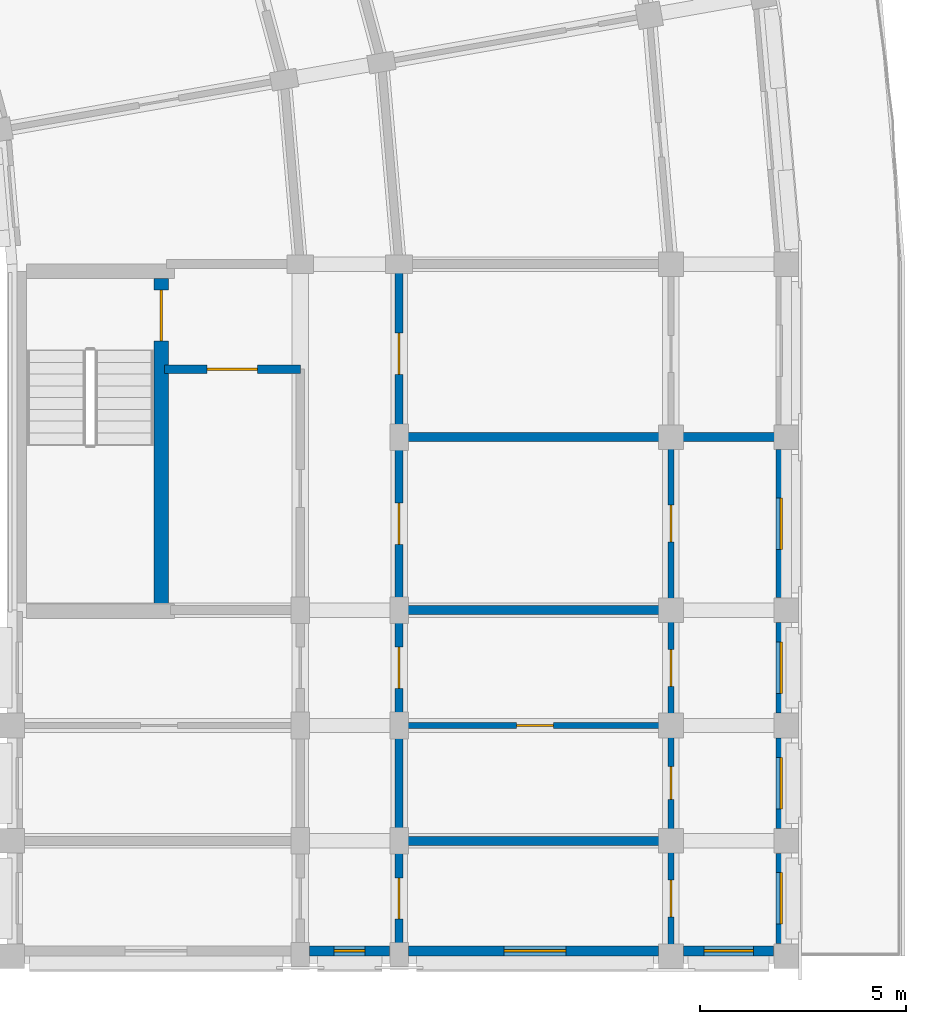
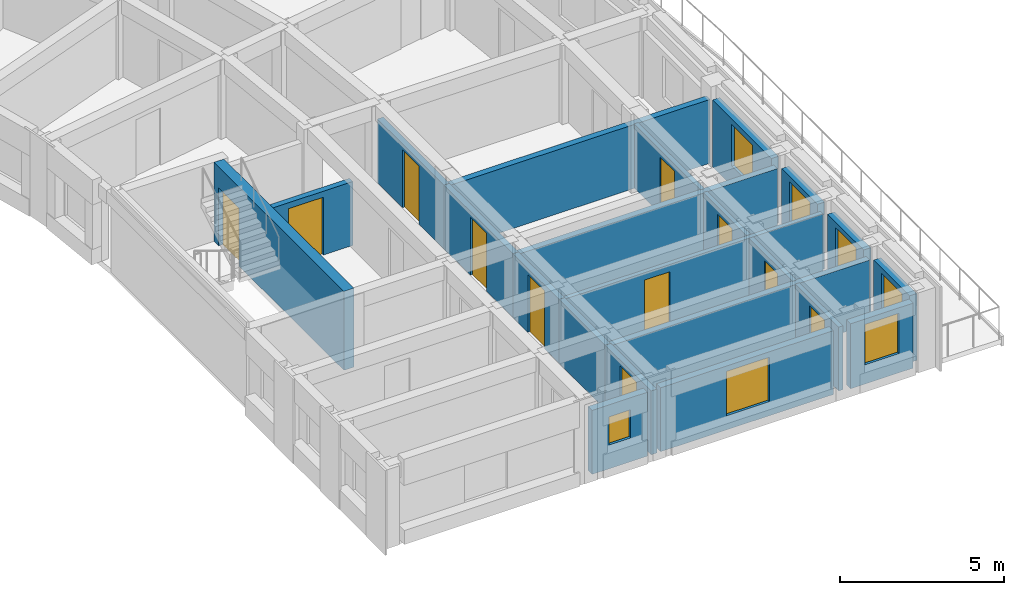
# One storey, part 21 of 36: 22 walls, 11 doors, 7 windows, 18 openings.
"""IFC4 building model written with IfcOpenShell, lengths in metres."""

import ifcopenshell
import ifcopenshell.guid

model = None  # the IFC model being written
_history = None  # IfcOwnerHistory: only IFC2X3 demands one
_inside = {}  # id of a spatial element -> (the spatial element, [elements in it])
_under = {}  # id of a project, library or spatial element -> (it, [spatial elements below it])
_declared = {}  # id of a project -> (the project, [libraries it declares])
_typed = {}  # id of a type object -> (the type object, [elements of that type])
_made_of = {}  # id of a material, layer set ... -> (it, [elements and type objects made of it])


def new_model(schema):
    """Start an empty IFC model of exactly this schema.

    Asked for "IFC4X3", IfcOpenShell would pick the latest addendum, in which some entities
    have other attributes; the version numbers below select the first issue.
    IFC2X3 requires an IfcOwnerHistory on every rooted entity: one is made here for all.
    """
    global model, _history
    if schema == "IFC4X3":
        model = ifcopenshell.file(schema_version=(4, 3, 0, 0))
    else:
        model = ifcopenshell.file(schema=schema)
    _inside.clear()
    _under.clear()
    _declared.clear()
    _typed.clear()
    _made_of.clear()
    _history = None
    if model.schema == "IFC2X3":
        org = make("IfcOrganization", Name="unknown")
        user = make(
            "IfcPersonAndOrganization",
            ThePerson=make("IfcPerson", FamilyName="unknown"),
            TheOrganization=org,
        )
        app = make(
            "IfcApplication",
            ApplicationDeveloper=org,
            Version="unknown",
            ApplicationFullName="unknown",
            ApplicationIdentifier="unknown",
        )
        _history = make(
            "IfcOwnerHistory",
            OwningUser=user,
            OwningApplication=app,
            ChangeAction="ADDED",
            CreationDate=0,
        )
    return model


def make(cls, **values):
    """One entity of the class cls with the attributes given. An attribute that is None is left unset."""
    return model.create_entity(
        cls, **{name: value for name, value in values.items() if value is not None}
    )


def rooted(cls, **values):
    """An entity with a GlobalId (a new one), such as an element, a storey or a relation."""
    return make(cls, GlobalId=ifcopenshell.guid.new(), OwnerHistory=_history, **values)


def si_unit(unit_type, name, prefix=None):
    """IfcSIUnit, for example si_unit("LENGTHUNIT", "METRE", prefix="MILLI")."""
    return make("IfcSIUnit", UnitType=unit_type, Prefix=prefix, Name=name)


def assignment(units):
    """IfcUnitAssignment: the units of a project."""
    return None if units is None else make("IfcUnitAssignment", Units=units)


def point(xyz):
    """IfcCartesianPoint."""
    return None if xyz is None else make("IfcCartesianPoint", Coordinates=xyz)


def direction(xyz):
    """IfcDirection."""
    return None if xyz is None else make("IfcDirection", DirectionRatios=xyz)


def frame(location, z_axis=None, x_axis=None):
    """IfcAxis2Placement3D, a coordinate frame: its origin and axes. An axis left out is left unset."""
    return make(
        "IfcAxis2Placement3D",
        Location=point(location),
        Axis=direction(z_axis),
        RefDirection=direction(x_axis),
    )


def frame_2d(location, x_axis=None):
    """IfcAxis2Placement2D, a coordinate frame in the plane: its origin and x axis."""
    return make(
        "IfcAxis2Placement2D", Location=point(location), RefDirection=direction(x_axis)
    )


def origin():
    """The frame at (0, 0, 0) with its axes left unset."""
    return frame((0.0, 0.0, 0.0))


def place(relative_to, where):
    """IfcLocalPlacement: puts the frame where relative to a parent placement (None: the world)."""
    return make(
        "IfcLocalPlacement", PlacementRelTo=relative_to, RelativePlacement=where
    )


def context(
    kind, dimensions, precision=None, world=None, true_north=None, identifier=None
):
    """IfcGeometricRepresentationContext, for example the 3D "Model" context."""
    return make(
        "IfcGeometricRepresentationContext",
        ContextIdentifier=identifier,
        ContextType=kind,
        CoordinateSpaceDimension=dimensions,
        Precision=precision,
        WorldCoordinateSystem=world,
        TrueNorth=true_north,
    )


def subcontext(parent, identifier, kind, view, scale=None):
    """IfcGeometricRepresentationSubContext, for example "Body" below "Model"."""
    return make(
        "IfcGeometricRepresentationSubContext",
        ContextIdentifier=identifier,
        ContextType=kind,
        ParentContext=parent,
        TargetScale=scale,
        TargetView=view,
    )


def project(units=None, contexts=None):
    """IfcProject with its units and contexts."""
    return rooted(
        "IfcProject",
        Name="project",
        RepresentationContexts=contexts,
        UnitsInContext=assignment(units),
    )


def spatial(cls, under=None, at=None, **own):
    """A site, building, storey or space (cls), placed at a placement, below another one or the project."""
    s = rooted(cls, ObjectPlacement=at, **own)
    if under is not None:
        _under.setdefault(under.id(), (under, []))[1].append(s)
    return s


def profile(cls, at=None, kind="AREA", **sizes):
    """A parametric profile (cls). Its sizes go by their IFC names, for example OverallWidth=200.0."""
    return make(cls, ProfileType=kind, Position=at, **sizes)


def rectangle(**sizes):
    """IfcRectangleProfileDef."""
    return profile("IfcRectangleProfileDef", **sizes)


def extrude(swept, where, along, depth):
    """IfcExtrudedAreaSolid: the profile swept, set in the frame where, extruded along a direction by depth."""
    return make(
        "IfcExtrudedAreaSolid",
        SweptArea=swept,
        Position=where,
        ExtrudedDirection=direction(along),
        Depth=depth,
    )


def shape(context_of_items, identifier, shape_type, items):
    """IfcShapeRepresentation: the items that make up one representation, for example the "Body"."""
    return make(
        "IfcShapeRepresentation",
        ContextOfItems=context_of_items,
        RepresentationIdentifier=identifier,
        RepresentationType=shape_type,
        Items=items,
    )


def material(Name=None, Category=None):
    """IfcMaterial."""
    return make("IfcMaterial", Name=Name, Category=Category)


def layer(
    of_material, thickness, ventilated=None, Name=None, Category=None, Priority=None
):
    """IfcMaterialLayer: one layer of a wall or slab, of a material (None: an air gap)."""
    return make(
        "IfcMaterialLayer",
        Material=of_material,
        LayerThickness=thickness,
        IsVentilated=ventilated,
        Name=Name,
        Category=Category,
        Priority=Priority,
    )


def layer_set(layers, Name=None):
    """IfcMaterialLayerSet."""
    return make("IfcMaterialLayerSet", MaterialLayers=layers, LayerSetName=Name)


def made_of(thing, what):
    """Note that an element or type object is made of a material, layer set ...; save() writes the relation."""
    if what is not None:
        _made_of.setdefault(what.id(), (what, []))[1].append(thing)
    return thing


def type_object(cls, material=None, **own):
    """A type object (cls), such as IfcWallType, which elements share."""
    return made_of(rooted(cls, **own), material)


def element(
    cls,
    number,
    at=None,
    inside=None,
    cuts=None,
    type_object=None,
    material=None,
    context=None,
    identifier="Body",
    shape_type=None,
    held_by="IfcProductDefinitionShape",
    body=None,
    shapes=None,
    **own,
):
    """One element of the class cls, such as IfcWall. Its Tag is "e" and its number.

    at: its placement. inside: the storey or other place that contains it. cuts: it is an
    opening in that element (IfcRelVoidsElement). A single representation is given by context,
    identifier, shape_type and body (its items); several are given by shapes. held_by: the class
    of the entity that holds the representations. save() writes the other relations.
    """
    e = rooted(cls, Tag="e%d" % number, ObjectPlacement=at, **own)
    if body is not None:
        shapes = [shape(context, identifier, shape_type, body)]
    if shapes is not None:
        e.Representation = make(held_by, Representations=shapes)
    if inside is not None:
        _inside.setdefault(inside.id(), (inside, []))[1].append(e)
    if cuts is not None:
        rooted(
            "IfcRelVoidsElement", RelatingBuildingElement=cuts, RelatedOpeningElement=e
        )
    if type_object is not None:
        _typed.setdefault(type_object.id(), (type_object, []))[1].append(e)
    return made_of(e, material)


def fill(opening, filler):
    """IfcRelFillsElement: the door or window that sits in an opening."""
    return rooted(
        "IfcRelFillsElement",
        RelatingOpeningElement=opening,
        RelatedBuildingElement=filler,
    )


def aggregate(whole, parts):
    """IfcRelAggregates: a whole, such as a stair, and the parts it consists of."""
    return rooted("IfcRelAggregates", RelatingObject=whole, RelatedObjects=parts)


def save(model, path):
    """Write the relations noted so far, then the file.

    IfcRelAggregates (storeys below a building ...), IfcRelContainedInSpatialStructure (elements
    in a storey), IfcRelDefinesByType, IfcRelAssociatesMaterial and IfcRelDeclares: one each for
    every whole, place, type object, material and project.
    """
    for whole, parts in _under.values():
        aggregate(whole, parts)
    for where, things in _inside.values():
        rooted(
            "IfcRelContainedInSpatialStructure",
            RelatedElements=things,
            RelatingStructure=where,
        )
    for kind, things in _typed.values():
        rooted("IfcRelDefinesByType", RelatedObjects=things, RelatingType=kind)
    for what, things in _made_of.values():
        rooted("IfcRelAssociatesMaterial", RelatedObjects=things, RelatingMaterial=what)
    for by, libraries in _declared.values():
        rooted("IfcRelDeclares", RelatingContext=by, RelatedDefinitions=libraries)
    model.write(path)


model = new_model("IFC4")

# Units and contexts
model_context = context("Model", 3, precision=1e-05, world=origin(), true_north=direction((0.0, 1.0)))
body_context = subcontext(model_context, "Body", "Model", "MODEL_VIEW")
ifc_project = project(units=[si_unit("LENGTHUNIT", "METRE"), si_unit("AREAUNIT", "SQUARE_METRE"), si_unit("VOLUMEUNIT", "CUBIC_METRE"), si_unit("PLANEANGLEUNIT", "RADIAN"), si_unit("MASSUNIT", "GRAM", prefix="KILO")], contexts=[model_context])

# Site, building, storey
site_placement = place(None, origin())
site = spatial("IfcSite", under=ifc_project, at=site_placement, CompositionType="ELEMENT")
building_placement = place(site_placement, origin())
building = spatial("IfcBuilding", under=site, at=building_placement, Name="Kiranvali Square Residences", CompositionType="ELEMENT")
storey_placement = place(building_placement, frame((0.0, 0.0, 37.050048828125)))
storey = spatial("IfcBuildingStorey", under=building, at=storey_placement, Name="L11", CompositionType="ELEMENT", Elevation=37.050048828125)

# Wall, opening, door
ifc_material_1 = material(Name="Autoclaved aerated concrete blockwork masonry", Category="masonry")
ifc_layer_1 = layer(ifc_material_1, 0.199951171875)
ifc_layer_set_1 = layer_set([ifc_layer_1], Name="Autoclaved aerated concrete blockwork masonry")
wall_type_1 = type_object("IfcWallType", Name="WL-COR-200", PredefinedType="STANDARD", material=ifc_layer_set_1)
wall_1_placement = place(storey_placement, frame((142.300048828125, 85.25, 0.0), z_axis=(0.0, 0.0, 1.0), x_axis=(1.0, 0.0, 0.0)))
wall_1 = element("IfcWall", 1, at=wall_1_placement, inside=storey, type_object=wall_type_1, Name="L11 architectural wall WL-L11-B-S3-V", PredefinedType="STANDARD", context=body_context, shape_type="SweptSolid", body=[
    extrude(rectangle(XDim=3.300048828125, YDim=0.199951171875, at=frame_2d((1.64990234375, 0.0))), origin(), (0.0, 0.0, 1.0), 2.3720703125),
])
opening_1_placement = place(wall_1_placement, frame((1.0400390625, 0.0, 0.0)))
opening_1 = element("IfcOpeningElement", 2, at=opening_1_placement, cuts=wall_1, Name="Opening FD-COR-60", PredefinedType="OPENING", context=body_context, shape_type="SweptSolid", body=[
    extrude(rectangle(XDim=1.219970703125, YDim=2.14990234375, at=frame_2d((0.60986328125, 1.074951171875))), frame((0.0, 0.10986328125, 0.0), z_axis=(0.0, -1.0, 0.0), x_axis=(1.0, 0.0, 0.0)), (0.0, 0.0, 1.0), 0.219970703125),
])
ifc_material_2 = material(Name="Fire-rated acoustic hardwood and mineral-core door assembly", Category="wood")
door_type_1 = type_object("IfcDoorType", Name="DR-FD60-1200", OperationType="NOTDEFINED", PredefinedType="DOOR", material=ifc_material_2)
door_1_placement = place(opening_1_placement, frame((1.219970703125, 0.0, 0.0), z_axis=(0.0, 0.0, 1.0), x_axis=(-1.0, 0.0, 0.0)))
door_1 = element("IfcDoor", 3, at=door_1_placement, inside=storey, type_object=door_type_1, Name="L11 door DR-L11-1642 (DR-FD60-1200)", OperationType="SINGLE_SWING_RIGHT", OverallHeight=2.14990234375, OverallWidth=1.219970703125, PredefinedType="DOOR", context=body_context, shape_type="SweptSolid", body=[
    extrude(rectangle(XDim=1.219970703125, YDim=2.14990234375, at=frame_2d((0.60986328125, 1.074951171875))), frame((0.0, 0.02490234375, 0.0), z_axis=(0.0, -1.0, 0.0), x_axis=(1.0, 0.0, 0.0)), (0.0, 0.0, 1.0), 0.050048828125),
])
fill(opening_1, door_1)

wall_2_placement = place(storey_placement, frame((148.0, 87.64990234375, 0.0), z_axis=(0.0, 0.0, 1.0), x_axis=(0.0, -1.0, 0.0)))
wall_2 = element("IfcWall", 4, at=wall_2_placement, inside=storey, type_object=wall_type_1, Name="L11 architectural wall WL-L11-B-A2CF-C0", PredefinedType="STANDARD", context=body_context, shape_type="SweptSolid", body=[
    extrude(rectangle(XDim=4.0498046875, YDim=0.199951171875, at=frame_2d((2.02490234375, 0.0))), origin(), (0.0, 0.0, 1.0), 2.3720703125),
])
opening_2_placement = place(wall_2_placement, frame((1.52490234375, 0.0, 0.0)))
opening_2 = element("IfcOpeningElement", 5, at=opening_2_placement, cuts=wall_2, Name="Opening FD-APT-60", PredefinedType="OPENING", context=body_context, shape_type="SweptSolid", body=[
    extrude(rectangle(XDim=1.0, YDim=2.14990234375, at=frame_2d((0.5, 1.074951171875))), frame((0.0, 0.10986328125, 0.0), z_axis=(0.0, -1.0, 0.0), x_axis=(1.0, 0.0, 0.0)), (0.0, 0.0, 1.0), 0.219970703125),
])
door_type_2 = type_object("IfcDoorType", Name="DR-APT-1000", OperationType="NOTDEFINED", PredefinedType="DOOR", material=ifc_material_2)
door_2_placement = place(opening_2_placement, frame((1.0, 0.0, 0.0), z_axis=(0.0, 0.0, 1.0), x_axis=(-1.0, 0.0, 0.0)))
door_2 = element("IfcDoor", 6, at=door_2_placement, inside=storey, type_object=door_type_2, Name="L11 door DR-L11-1684 (DR-APT-1000)", OperationType="SINGLE_SWING_RIGHT", OverallHeight=2.14990234375, OverallWidth=1.0, PredefinedType="DOOR", context=body_context, shape_type="SweptSolid", body=[
    extrude(rectangle(XDim=1.0, YDim=2.14990234375, at=frame_2d((0.5, 1.074951171875))), frame((0.0, 0.02490234375, 0.0), z_axis=(0.0, -1.0, 0.0), x_axis=(1.0, 0.0, 0.0)), (0.0, 0.0, 1.0), 0.050048828125),
])
fill(opening_2, door_2)

wall_3_placement = place(storey_placement, frame((148.0, 83.60009765625, 0.0), z_axis=(0.0, 0.0, 1.0), x_axis=(0.0, -1.0, 0.0)))
wall_3 = element("IfcWall", 7, at=wall_3_placement, inside=storey, type_object=wall_type_1, Name="L11 architectural wall WL-L11-B-A2CF-C1", PredefinedType="STANDARD", context=body_context, shape_type="SweptSolid", body=[
    extrude(rectangle(XDim=4.2001953125, YDim=0.199951171875, at=frame_2d((2.10009765625, 0.0))), origin(), (0.0, 0.0, 1.0), 2.3720703125),
])
opening_3_placement = place(wall_3_placement, frame((1.60009765625, 0.0, 0.0)))
opening_3 = element("IfcOpeningElement", 8, at=opening_3_placement, cuts=wall_3, Name="Opening FD-APT-60", PredefinedType="OPENING", context=body_context, shape_type="SweptSolid", body=[
    extrude(rectangle(XDim=1.0, YDim=2.14990234375, at=frame_2d((0.5, 1.074951171875))), frame((0.0, 0.10986328125, 0.0), z_axis=(0.0, -1.0, 0.0), x_axis=(1.0, 0.0, 0.0)), (0.0, 0.0, 1.0), 0.219970703125),
])
door_3_placement = place(opening_3_placement, frame((1.0, 0.0, 0.0), z_axis=(0.0, 0.0, 1.0), x_axis=(-1.0, 0.0, 0.0)))
door_3 = element("IfcDoor", 9, at=door_3_placement, inside=storey, type_object=door_type_2, Name="L11 door DR-L11-1686 (DR-APT-1000)", OperationType="SINGLE_SWING_RIGHT", OverallHeight=2.14990234375, OverallWidth=1.0, PredefinedType="DOOR", context=body_context, shape_type="SweptSolid", body=[
    extrude(rectangle(XDim=1.0, YDim=2.14990234375, at=frame_2d((0.5, 1.074951171875))), frame((0.0, 0.02490234375, 0.0), z_axis=(0.0, -1.0, 0.0), x_axis=(1.0, 0.0, 0.0)), (0.0, 0.0, 1.0), 0.050048828125),
])
fill(opening_3, door_3)

wall_4_placement = place(storey_placement, frame((148.0, 79.39990234375, 0.0), z_axis=(0.0, 0.0, 1.0), x_axis=(0.0, -1.0, 0.0)))
wall_4 = element("IfcWall", 10, at=wall_4_placement, inside=storey, type_object=wall_type_1, Name="L11 architectural wall WL-L11-B-A2CO-0", PredefinedType="STANDARD", context=body_context, shape_type="SweptSolid", body=[
    extrude(rectangle(XDim=2.7998046875, YDim=0.199951171875, at=frame_2d((1.39990234375, 0.0))), origin(), (0.0, 0.0, 1.0), 2.3720703125),
])
opening_4_placement = place(wall_4_placement, frame((0.89990234375, 0.0, 0.0)))
opening_4 = element("IfcOpeningElement", 11, at=opening_4_placement, cuts=wall_4, Name="Opening FD-APT-60", PredefinedType="OPENING", context=body_context, shape_type="SweptSolid", body=[
    extrude(rectangle(XDim=1.0, YDim=2.14990234375, at=frame_2d((0.5, 1.074951171875))), frame((0.0, 0.10986328125, 0.0), z_axis=(0.0, -1.0, 0.0), x_axis=(1.0, 0.0, 0.0)), (0.0, 0.0, 1.0), 0.219970703125),
])
door_4_placement = place(opening_4_placement, frame((1.0, 0.0, 0.0), z_axis=(0.0, 0.0, 1.0), x_axis=(-1.0, 0.0, 0.0)))
door_4 = element("IfcDoor", 12, at=door_4_placement, inside=storey, type_object=door_type_2, Name="L11 door DR-L11-1690 (DR-APT-1000)", OperationType="SINGLE_SWING_RIGHT", OverallHeight=2.14990234375, OverallWidth=1.0, PredefinedType="DOOR", context=body_context, shape_type="SweptSolid", body=[
    extrude(rectangle(XDim=1.0, YDim=2.14990234375, at=frame_2d((0.5, 1.074951171875))), frame((0.0, 0.02490234375, 0.0), z_axis=(0.0, -1.0, 0.0), x_axis=(1.0, 0.0, 0.0)), (0.0, 0.0, 1.0), 0.050048828125),
])
fill(opening_4, door_4)

# Wall
wall_5_placement = place(storey_placement, frame((148.0, 76.60009765625, 0.0), z_axis=(0.0, 0.0, 1.0), x_axis=(0.0, -1.0, 0.0)))
element("IfcWall", 13, at=wall_5_placement, inside=storey, type_object=wall_type_1, Name="L11 architectural wall WL-L11-B-A2CO-1", PredefinedType="STANDARD", context=body_context, shape_type="SweptSolid", body=[
    extrude(rectangle(XDim=2.800048828125, YDim=0.199951171875, at=frame_2d((1.39990234375, 0.0))), origin(), (0.0, 0.0, 1.0), 2.3720703125),
])

# Wall, opening, door
wall_6_placement = place(storey_placement, frame((148.0, 73.800048828125, 0.0), z_axis=(0.0, 0.0, 1.0), x_axis=(0.0, -1.0, 0.0)))
wall_6 = element("IfcWall", 14, at=wall_6_placement, inside=storey, type_object=wall_type_1, Name="L11 architectural wall WL-L11-B-A2CO-2", PredefinedType="STANDARD", context=body_context, shape_type="SweptSolid", body=[
    extrude(rectangle(XDim=2.800048828125, YDim=0.199951171875, at=frame_2d((1.39990234375, 0.0))), origin(), (0.0, 0.0, 1.0), 2.3720703125),
])
opening_5_placement = place(wall_6_placement, frame((0.89990234375, 0.0, 0.0)))
opening_5 = element("IfcOpeningElement", 15, at=opening_5_placement, cuts=wall_6, Name="Opening FD-APT-60", PredefinedType="OPENING", context=body_context, shape_type="SweptSolid", body=[
    extrude(rectangle(XDim=1.0, YDim=2.14990234375, at=frame_2d((0.5, 1.074951171875))), frame((0.0, 0.10986328125, 0.0), z_axis=(0.0, -1.0, 0.0), x_axis=(1.0, 0.0, 0.0)), (0.0, 0.0, 1.0), 0.219970703125),
])
door_5_placement = place(opening_5_placement, frame((1.0, 0.0, 0.0), z_axis=(0.0, 0.0, 1.0), x_axis=(-1.0, 0.0, 0.0)))
door_5 = element("IfcDoor", 16, at=door_5_placement, inside=storey, type_object=door_type_2, Name="L11 door DR-L11-1696 (DR-APT-1000)", OperationType="SINGLE_SWING_RIGHT", OverallHeight=2.14990234375, OverallWidth=1.0, PredefinedType="DOOR", context=body_context, shape_type="SweptSolid", body=[
    extrude(rectangle(XDim=1.0, YDim=2.14990234375, at=frame_2d((0.5, 1.074951171875))), frame((0.0, 0.02490234375, 0.0), z_axis=(0.0, -1.0, 0.0), x_axis=(1.0, 0.0, 0.0)), (0.0, 0.0, 1.0), 0.050048828125),
])
fill(opening_5, door_5)

# Walls
ifc_layer_2 = layer(ifc_material_1, 0.219970703125)
ifc_layer_set_2 = layer_set([ifc_layer_2], Name="Autoclaved aerated concrete blockwork masonry")
wall_type_2 = type_object("IfcWallType", Name="WL-DEM-220", PredefinedType="STANDARD", material=ifc_layer_set_2)
wall_7_placement = place(storey_placement, frame((148.050048828125, 83.60009765625, 0.0), z_axis=(0.0, 0.0, 1.0), x_axis=(1.0, 0.0, 0.0)))
element("IfcWall", 17, at=wall_7_placement, inside=storey, type_object=wall_type_2, Name="L11 architectural wall WL-L11-B-A2CF-MID", PredefinedType="STANDARD", context=body_context, shape_type="SweptSolid", body=[
    extrude(rectangle(XDim=9.1298828125, YDim=0.219970703125, at=frame_2d((4.56494140625, 0.0))), origin(), (0.0, 0.0, 1.0), 2.3720703125),
])
for number, where, z_axis, x_axis, name in (
    (18, (148.10009765625, 79.39990234375, 0.0), (0.0, 0.0, 1.0), (1.0, 0.0, 0.0), "L11 architectural wall WL-L11-B-A2TO-0"),
    (19, (148.10009765625, 73.800048828125, 0.0), (0.0, 0.0, 1.0), (1.0, 0.0, 0.0), "L11 architectural wall WL-L11-B-A2TO-2"),
):
    element("IfcWall", number, at=place(storey_placement, frame(where, z_axis=z_axis, x_axis=x_axis)), inside=storey, type_object=wall_type_2, Name=name, PredefinedType="STANDARD", context=body_context, shape_type="SweptSolid", body=[
        extrude(rectangle(XDim=9.02001953125, YDim=0.219970703125, at=frame_2d((4.510009765625, 0.0))), origin(), (0.0, 0.0, 1.0), 2.3720703125),
    ])

# Wall, opening, window
ifc_material_3 = material(Name="Breathable lime-rendered clay brick masonry", Category="masonry")
ifc_layer_3 = layer(ifc_material_3, 0.25)
ifc_layer_set_3 = layer_set([ifc_layer_3], Name="Breathable lime-rendered clay brick masonry")
wall_type_3 = type_object("IfcWallType", Name="WL-EXT-250", PredefinedType="STANDARD", material=ifc_layer_set_3)
wall_8_placement = place(storey_placement, frame((157.27490234375, 83.29638671875, 0.0), z_axis=(0.0, 0.0, 1.0), x_axis=(0.0, -1.0, 0.0)))
wall_8 = element("IfcWall", 20, at=wall_8_placement, inside=storey, type_object=wall_type_3, Name="L11 exterior wall B-L11-A2O-1", PredefinedType="STANDARD", context=body_context, shape_type="SweptSolid", body=[
    extrude(rectangle(XDim=3.5927734375, YDim=0.25, at=frame_2d((1.79638671875, 0.0))), origin(), (0.0, 0.0, 1.0), 2.47998046875),
])
opening_6_placement = place(wall_8_placement, frame((1.17138671875, 0.0, 0.72998046875)))
opening_6 = element("IfcOpeningElement", 21, at=opening_6_placement, cuts=wall_8, Name="Opening W-19", PredefinedType="OPENING", context=body_context, shape_type="SweptSolid", body=[
    extrude(rectangle(XDim=1.25, YDim=1.550048828125, at=frame_2d((0.625, 0.77490234375))), frame((0.0, 0.135009765625, 0.0), z_axis=(0.0, -1.0, 0.0), x_axis=(1.0, 0.0, 0.0)), (0.0, 0.0, 1.0), 0.27001953125),
])
ifc_material_4 = material(Name="Solar-control low-e double glazing", Category="glass")
window_type_1 = type_object("IfcWindowType", Name="WIN-GDN-1250x1550", PartitioningType="SINGLE_PANEL", PredefinedType="WINDOW", material=ifc_material_4)
window_1_placement = place(opening_6_placement, origin())
window_1 = element("IfcWindow", 22, at=window_1_placement, inside=storey, type_object=window_type_1, Name="L11 recessed window B-L11-A2O-1", OverallHeight=1.550048828125, OverallWidth=1.25, PartitioningType="SINGLE_PANEL", PredefinedType="WINDOW", context=body_context, shape_type="SweptSolid", body=[
    extrude(rectangle(XDim=1.25, YDim=1.550048828125, at=frame_2d((0.625, 0.77490234375))), frame((0.0, 0.030029296875, 0.0), z_axis=(0.0, -1.0, 0.0), x_axis=(1.0, 0.0, 0.0)), (0.0, 0.0, 1.0), 0.06005859375),
])
fill(opening_6, window_1)

wall_9_placement = place(storey_placement, frame((157.27490234375, 79.096435546875, 0.0), z_axis=(0.0, 0.0, 1.0), x_axis=(0.0, -1.0, 0.0)))
wall_9 = element("IfcWall", 23, at=wall_9_placement, inside=storey, type_object=wall_type_3, Name="L11 exterior wall B-L11-A2O-2", PredefinedType="STANDARD", context=body_context, shape_type="SweptSolid", body=[
    extrude(rectangle(XDim=2.19287109375, YDim=0.25, at=frame_2d((1.096435546875, 0.0))), origin(), (0.0, 0.0, 1.0), 2.47998046875),
])
opening_7_placement = place(wall_9_placement, frame((0.471435546875, 0.0, 0.72998046875)))
opening_7 = element("IfcOpeningElement", 24, at=opening_7_placement, cuts=wall_9, Name="Opening W-19", PredefinedType="OPENING", context=body_context, shape_type="SweptSolid", body=[
    extrude(rectangle(XDim=1.25, YDim=1.550048828125, at=frame_2d((0.625, 0.77490234375))), frame((0.0, 0.135009765625, 0.0), z_axis=(0.0, -1.0, 0.0), x_axis=(1.0, 0.0, 0.0)), (0.0, 0.0, 1.0), 0.27001953125),
])
window_2_placement = place(opening_7_placement, origin())
window_2 = element("IfcWindow", 25, at=window_2_placement, inside=storey, type_object=window_type_1, Name="L11 recessed window B-L11-A2O-2", OverallHeight=1.550048828125, OverallWidth=1.25, PartitioningType="SINGLE_PANEL", PredefinedType="WINDOW", context=body_context, shape_type="SweptSolid", body=[
    extrude(rectangle(XDim=1.25, YDim=1.550048828125, at=frame_2d((0.625, 0.77490234375))), frame((0.0, 0.030029296875, 0.0), z_axis=(0.0, -1.0, 0.0), x_axis=(1.0, 0.0, 0.0)), (0.0, 0.0, 1.0), 0.06005859375),
])
fill(opening_7, window_2)

wall_10_placement = place(storey_placement, frame((157.27490234375, 76.29638671875, 0.0), z_axis=(0.0, 0.0, 1.0), x_axis=(0.0, -1.0, 0.0)))
wall_10 = element("IfcWall", 26, at=wall_10_placement, inside=storey, type_object=wall_type_3, Name="L11 exterior wall B-L11-A2O-3", PredefinedType="STANDARD", context=body_context, shape_type="SweptSolid", body=[
    extrude(rectangle(XDim=2.19287109375, YDim=0.25, at=frame_2d((1.096435546875, 0.0))), origin(), (0.0, 0.0, 1.0), 2.47998046875),
])
opening_8_placement = place(wall_10_placement, frame((0.471435546875, 0.0, 0.72998046875)))
opening_8 = element("IfcOpeningElement", 27, at=opening_8_placement, cuts=wall_10, Name="Opening W-19", PredefinedType="OPENING", context=body_context, shape_type="SweptSolid", body=[
    extrude(rectangle(XDim=1.25, YDim=1.550048828125, at=frame_2d((0.625, 0.77490234375))), frame((0.0, 0.135009765625, 0.0), z_axis=(0.0, -1.0, 0.0), x_axis=(1.0, 0.0, 0.0)), (0.0, 0.0, 1.0), 0.27001953125),
])
window_3_placement = place(opening_8_placement, origin())
window_3 = element("IfcWindow", 28, at=window_3_placement, inside=storey, type_object=window_type_1, Name="L11 recessed window B-L11-A2O-3", OverallHeight=1.550048828125, OverallWidth=1.25, PartitioningType="SINGLE_PANEL", PredefinedType="WINDOW", context=body_context, shape_type="SweptSolid", body=[
    extrude(rectangle(XDim=1.25, YDim=1.550048828125, at=frame_2d((0.625, 0.77490234375))), frame((0.0, 0.030029296875, 0.0), z_axis=(0.0, -1.0, 0.0), x_axis=(1.0, 0.0, 0.0)), (0.0, 0.0, 1.0), 0.06005859375),
])
fill(opening_8, window_3)

wall_11_placement = place(storey_placement, frame((157.27490234375, 73.49658203125, 0.0), z_axis=(0.0, 0.0, 1.0), x_axis=(0.0, -1.0, 0.0)))
wall_11 = element("IfcWall", 29, at=wall_11_placement, inside=storey, type_object=wall_type_3, Name="L11 exterior wall B-L11-A2O-4", PredefinedType="STANDARD", context=body_context, shape_type="SweptSolid", body=[
    extrude(rectangle(XDim=2.193115234375, YDim=0.25, at=frame_2d((1.0966796875, 0.0))), origin(), (0.0, 0.0, 1.0), 2.47998046875),
])
opening_9_placement = place(wall_11_placement, frame((0.471435546875, 0.0, 0.72998046875)))
opening_9 = element("IfcOpeningElement", 30, at=opening_9_placement, cuts=wall_11, Name="Opening W-19", PredefinedType="OPENING", context=body_context, shape_type="SweptSolid", body=[
    extrude(rectangle(XDim=1.25, YDim=1.550048828125, at=frame_2d((0.625, 0.77490234375))), frame((0.0, 0.135009765625, 0.0), z_axis=(0.0, -1.0, 0.0), x_axis=(1.0, 0.0, 0.0)), (0.0, 0.0, 1.0), 0.27001953125),
])
window_4_placement = place(opening_9_placement, origin())
window_4 = element("IfcWindow", 31, at=window_4_placement, inside=storey, type_object=window_type_1, Name="L11 recessed window B-L11-A2O-4", OverallHeight=1.550048828125, OverallWidth=1.25, PartitioningType="SINGLE_PANEL", PredefinedType="WINDOW", context=body_context, shape_type="SweptSolid", body=[
    extrude(rectangle(XDim=1.25, YDim=1.550048828125, at=frame_2d((0.625, 0.77490234375))), frame((0.0, 0.030029296875, 0.0), z_axis=(0.0, -1.0, 0.0), x_axis=(1.0, 0.0, 0.0)), (0.0, 0.0, 1.0), 0.06005859375),
])
fill(opening_9, window_4)

wall_12_placement = place(storey_placement, frame((145.82861328125, 71.125, 0.0), z_axis=(0.0, 0.0, 1.0), x_axis=(1.0, 0.0, 0.0)))
wall_12 = element("IfcWall", 32, at=wall_12_placement, inside=storey, type_object=wall_type_3, Name="L11 exterior wall B-L11-A2END-1", PredefinedType="STANDARD", context=body_context, shape_type="SweptSolid", body=[
    extrude(rectangle(XDim=1.94287109375, YDim=0.25, at=frame_2d((0.971435546875, 0.0))), origin(), (0.0, 0.0, 1.0), 2.3720703125),
])
opening_10_placement = place(wall_12_placement, frame((0.596435546875, 0.0, 0.8798828125)))
opening_10 = element("IfcOpeningElement", 33, at=opening_10_placement, cuts=wall_12, Name="Opening W-07", PredefinedType="OPENING", context=body_context, shape_type="SweptSolid", body=[
    extrude(rectangle(XDim=0.75, YDim=1.050048828125, at=frame_2d((0.375, 0.52490234375))), frame((0.0, 0.135009765625, 0.0), z_axis=(0.0, -1.0, 0.0), x_axis=(1.0, 0.0, 0.0)), (0.0, 0.0, 1.0), 0.27001953125),
])
window_type_2 = type_object("IfcWindowType", Name="WIN-WET-750x1050", PartitioningType="SINGLE_PANEL", PredefinedType="WINDOW", material=ifc_material_4)
window_5_placement = place(opening_10_placement, origin())
window_5 = element("IfcWindow", 34, at=window_5_placement, inside=storey, type_object=window_type_2, Name="L11 recessed window B-L11-A2END-1", OverallHeight=1.050048828125, OverallWidth=0.75, PartitioningType="SINGLE_PANEL", PredefinedType="WINDOW", context=body_context, shape_type="SweptSolid", body=[
    extrude(rectangle(XDim=0.75, YDim=1.050048828125, at=frame_2d((0.375, 0.52490234375))), frame((0.0, 0.030029296875, 0.0), z_axis=(0.0, -1.0, 0.0), x_axis=(1.0, 0.0, 0.0)), (0.0, 0.0, 1.0), 0.06005859375),
])
fill(opening_10, window_5)

wall_13_placement = place(storey_placement, frame((148.228515625, 71.125, 0.0), z_axis=(0.0, 0.0, 1.0), x_axis=(1.0, 0.0, 0.0)))
wall_13 = element("IfcWall", 35, at=wall_13_placement, inside=storey, type_object=wall_type_3, Name="L11 exterior wall B-L11-A2END-2", PredefinedType="STANDARD", context=body_context, shape_type="SweptSolid", body=[
    extrude(rectangle(XDim=6.06787109375, YDim=0.25, at=frame_2d((3.033935546875, 0.0))), origin(), (0.0, 0.0, 1.0), 2.3720703125),
])
opening_11_placement = place(wall_13_placement, frame((2.321533203125, 0.0, 0.52197265625)))
opening_11 = element("IfcOpeningElement", 36, at=opening_11_placement, cuts=wall_13, Name="Opening W-05", PredefinedType="OPENING", context=body_context, shape_type="SweptSolid", body=[
    extrude(rectangle(XDim=1.5, YDim=1.64990234375, at=frame_2d((0.75, 0.824951171875))), frame((0.0, 0.135009765625, 0.0), z_axis=(0.0, -1.0, 0.0), x_axis=(1.0, 0.0, 0.0)), (0.0, 0.0, 1.0), 0.27001953125),
])
window_type_3 = type_object("IfcWindowType", Name="WIN-RES-1500x1650", PartitioningType="DOUBLE_PANEL_VERTICAL", PredefinedType="WINDOW", material=ifc_material_4)
window_6_placement = place(opening_11_placement, origin())
window_6 = element("IfcWindow", 37, at=window_6_placement, inside=storey, type_object=window_type_3, Name="L11 recessed window B-L11-A2END-2", OverallHeight=1.64990234375, OverallWidth=1.5, PartitioningType="DOUBLE_PANEL_VERTICAL", PredefinedType="WINDOW", context=body_context, shape_type="SweptSolid", body=[
    extrude(rectangle(XDim=1.5, YDim=1.64990234375, at=frame_2d((0.75, 0.824951171875))), frame((0.0, 0.030029296875, 0.0), z_axis=(0.0, -1.0, 0.0), x_axis=(1.0, 0.0, 0.0)), (0.0, 0.0, 1.0), 0.06005859375),
])
fill(opening_11, window_6)

wall_14_placement = place(storey_placement, frame((154.903564453125, 71.125, 0.0), z_axis=(0.0, 0.0, 1.0), x_axis=(1.0, 0.0, 0.0)))
wall_14 = element("IfcWall", 38, at=wall_14_placement, inside=storey, type_object=wall_type_3, Name="L11 exterior wall B-L11-A2END-3", PredefinedType="STANDARD", context=body_context, shape_type="SweptSolid", body=[
    extrude(rectangle(XDim=2.19287109375, YDim=0.25, at=frame_2d((1.096435546875, 0.0))), origin(), (0.0, 0.0, 1.0), 2.411865234375),
])
opening_12_placement = place(wall_14_placement, frame((0.49658203125, 0.0, 0.7119140625)))
opening_12 = element("IfcOpeningElement", 39, at=opening_12_placement, cuts=wall_14, Name="Opening W-06", PredefinedType="OPENING", context=body_context, shape_type="SweptSolid", body=[
    extrude(rectangle(XDim=1.199951171875, YDim=1.5, at=frame_2d((0.60009765625, 0.75))), frame((0.0, 0.135009765625, 0.0), z_axis=(0.0, -1.0, 0.0), x_axis=(1.0, 0.0, 0.0)), (0.0, 0.0, 1.0), 0.27001953125),
])
window_type_4 = type_object("IfcWindowType", Name="WIN-RES-1200x1500", PartitioningType="SINGLE_PANEL", PredefinedType="WINDOW", material=ifc_material_4)
window_7_placement = place(opening_12_placement, origin())
window_7 = element("IfcWindow", 40, at=window_7_placement, inside=storey, type_object=window_type_4, Name="L11 recessed window B-L11-A2END-3", OverallHeight=1.5, OverallWidth=1.199951171875, PartitioningType="SINGLE_PANEL", PredefinedType="WINDOW", context=body_context, shape_type="SweptSolid", body=[
    extrude(rectangle(XDim=1.199951171875, YDim=1.5, at=frame_2d((0.60009765625, 0.75))), frame((0.0, 0.030029296875, 0.0), z_axis=(0.0, -1.0, 0.0), x_axis=(1.0, 0.0, 0.0)), (0.0, 0.0, 1.0), 0.06005859375),
])
fill(opening_12, window_7)

# Wall, opening, door
ifc_material_5 = material(Name="Acoustic gypsum board drylined partition", Category="gypsum")
ifc_layer_4 = layer(ifc_material_5, 0.14990234375)
ifc_layer_set_4 = layer_set([ifc_layer_4], Name="Acoustic gypsum board drylined partition")
wall_type_4 = type_object("IfcWallType", Name="WL-PRT-150", PredefinedType="PARTITIONING", material=ifc_layer_set_4)
wall_15_placement = place(storey_placement, frame((154.60009765625, 83.52001953125, 0.0), z_axis=(0.0, 0.0, 1.0), x_axis=(0.0, -1.0, 0.0)))
wall_15 = element("IfcWall", 41, at=wall_15_placement, inside=storey, type_object=wall_type_4, Name="L11 architectural wall WL-L11-B-A2CF-SP1", PredefinedType="PARTITIONING", context=body_context, shape_type="SweptSolid", body=[
    extrude(rectangle(XDim=4.0400390625, YDim=0.14990234375, at=frame_2d((2.02001953125, 0.0))), origin(), (0.0, 0.0, 1.0), 2.3720703125),
])
opening_13_placement = place(wall_15_placement, frame((1.570068359375, 0.0, 0.0)))
opening_13 = element("IfcOpeningElement", 42, at=opening_13_placement, cuts=wall_15, Name="Opening ID-1", PredefinedType="OPENING", context=body_context, shape_type="SweptSolid", body=[
    extrude(rectangle(XDim=0.89990234375, YDim=2.10009765625, at=frame_2d((0.449951171875, 1.050048828125))), frame((0.0, 0.0849609375, 0.0), z_axis=(0.0, -1.0, 0.0), x_axis=(1.0, 0.0, 0.0)), (0.0, 0.0, 1.0), 0.169921875),
])
ifc_material_6 = material(Name="Solid seasoned teak hardwood joinery", Category="wood")
door_type_3 = type_object("IfcDoorType", Name="DR-INT-900", OperationType="NOTDEFINED", PredefinedType="DOOR", material=ifc_material_6)
door_6_placement = place(opening_13_placement, origin())
door_6 = element("IfcDoor", 43, at=door_6_placement, inside=storey, type_object=door_type_3, Name="L11 door DR-L11-1687 (DR-INT-900)", OperationType="SINGLE_SWING_LEFT", OverallHeight=2.10009765625, OverallWidth=0.89990234375, PredefinedType="DOOR", context=body_context, shape_type="SweptSolid", body=[
    extrude(rectangle(XDim=0.89990234375, YDim=2.10009765625, at=frame_2d((0.449951171875, 1.050048828125))), frame((0.0, 0.02490234375, 0.0), z_axis=(0.0, -1.0, 0.0), x_axis=(1.0, 0.0, 0.0)), (0.0, 0.0, 1.0), 0.050048828125),
])
fill(opening_13, door_6)

wall_16_placement = place(storey_placement, frame((148.10009765625, 76.60009765625, 0.0), z_axis=(0.0, 0.0, 1.0), x_axis=(1.0, 0.0, 0.0)))
wall_16 = element("IfcWall", 44, at=wall_16_placement, inside=storey, type_object=wall_type_4, Name="L11 architectural wall WL-L11-B-A2TO-1", PredefinedType="PARTITIONING", context=body_context, shape_type="SweptSolid", body=[
    extrude(rectangle(XDim=9.02001953125, YDim=0.14990234375, at=frame_2d((4.510009765625, 0.0))), origin(), (0.0, 0.0, 1.0), 2.3720703125),
])
opening_14_placement = place(wall_16_placement, frame((2.750244140625, 0.0, 0.0)))
opening_14 = element("IfcOpeningElement", 45, at=opening_14_placement, cuts=wall_16, Name="Opening ID-1", PredefinedType="OPENING", context=body_context, shape_type="SweptSolid", body=[
    extrude(rectangle(XDim=0.89990234375, YDim=2.10009765625, at=frame_2d((0.449951171875, 1.050048828125))), frame((0.0, 0.0849609375, 0.0), z_axis=(0.0, -1.0, 0.0), x_axis=(1.0, 0.0, 0.0)), (0.0, 0.0, 1.0), 0.169921875),
])
door_7_placement = place(opening_14_placement, origin())
door_7 = element("IfcDoor", 46, at=door_7_placement, inside=storey, type_object=door_type_3, Name="L11 door DR-L11-1693 (DR-INT-900)", OperationType="SINGLE_SWING_LEFT", OverallHeight=2.10009765625, OverallWidth=0.89990234375, PredefinedType="DOOR", context=body_context, shape_type="SweptSolid", body=[
    extrude(rectangle(XDim=0.89990234375, YDim=2.10009765625, at=frame_2d((0.449951171875, 1.050048828125))), frame((0.0, 0.02490234375, 0.0), z_axis=(0.0, -1.0, 0.0), x_axis=(1.0, 0.0, 0.0)), (0.0, 0.0, 1.0), 0.050048828125),
])
fill(opening_14, door_7)

ifc_material_7 = material(Name="Concrete M45 (45 MPa)", Category="concrete")
ifc_layer_5 = layer(ifc_material_7, 0.320068359375)
ifc_layer_set_5 = layer_set([ifc_layer_5], Name="Concrete M45 (45 MPa)")
wall_type_5 = type_object("IfcWallType", Name="WL-SHR-320", PredefinedType="SHEAR", material=ifc_layer_set_5)
wall_17_placement = place(storey_placement, frame((142.22509765625, 87.449951171875, 0.0), z_axis=(0.0, 0.0, 1.0), x_axis=(0.0, -1.0, 0.0)))
wall_17 = element("IfcWall", 47, at=wall_17_placement, inside=storey, type_object=wall_type_5, Name="Block B core shear wall SW-B3-IN-L11", PredefinedType="SHEAR", context=body_context, shape_type="SweptSolid", body=[
    extrude(rectangle(XDim=7.89990234375, YDim=0.35009765625, at=frame_2d((3.949951171875, 0.0))), origin(), (0.0, 0.0, 1.0), 2.929931640625),
])
opening_15_placement = place(wall_17_placement, frame((0.280029296875, 0.0, 0.0)))
opening_15 = element("IfcOpeningElement", 48, at=opening_15_placement, cuts=wall_17, Name="Opening FD-ST-120", PredefinedType="OPENING", context=body_context, shape_type="SweptSolid", body=[
    extrude(rectangle(XDim=1.239990234375, YDim=2.14990234375, at=frame_2d((0.6201171875, 1.074951171875))), frame((0.0, 0.18505859375, 0.0), z_axis=(0.0, -1.0, 0.0), x_axis=(1.0, 0.0, 0.0)), (0.0, 0.0, 1.0), 0.3701171875),
])
door_type_4 = type_object("IfcDoorType", Name="DR-FD120-1200", OperationType="NOTDEFINED", PredefinedType="DOOR", material=ifc_material_2)
door_8_placement = place(opening_15_placement, frame((1.239990234375, 0.0, 0.0), z_axis=(0.0, 0.0, 1.0), x_axis=(-1.0, 0.0, 0.0)))
door_8 = element("IfcDoor", 49, at=door_8_placement, inside=storey, type_object=door_type_4, Name="L11 door DR-L11-1638 (DR-FD120-1200)", OperationType="SINGLE_SWING_RIGHT", OverallHeight=2.14990234375, OverallWidth=1.239990234375, PredefinedType="DOOR", context=body_context, shape_type="SweptSolid", body=[
    extrude(rectangle(XDim=1.239990234375, YDim=2.14990234375, at=frame_2d((0.6201171875, 1.074951171875))), frame((0.0, 0.02490234375, 0.0), z_axis=(0.0, -1.0, 0.0), x_axis=(1.0, 0.0, 0.0)), (0.0, 0.0, 1.0), 0.050048828125),
])
fill(opening_15, door_8)

ifc_layer_6 = layer(ifc_material_1, 0.14990234375)
ifc_layer_set_6 = layer_set([ifc_layer_6], Name="Autoclaved aerated concrete blockwork masonry")
wall_type_6 = type_object("IfcWallType", Name="WL-WET-150", PredefinedType="PLUMBINGWALL", material=ifc_layer_set_6)
wall_18_placement = place(storey_placement, frame((154.60009765625, 79.320068359375, 0.0), z_axis=(0.0, 0.0, 1.0), x_axis=(0.0, -1.0, 0.0)))
wall_18 = element("IfcWall", 50, at=wall_18_placement, inside=storey, type_object=wall_type_6, Name="L11 architectural wall WL-L11-B-A2SP-0", PredefinedType="PLUMBINGWALL", context=body_context, shape_type="SweptSolid", body=[
    extrude(rectangle(XDim=2.64013671875, YDim=0.14990234375, at=frame_2d((1.320068359375, 0.0))), origin(), (0.0, 0.0, 1.0), 2.3720703125),
])
opening_16_placement = place(wall_18_placement, frame((0.8701171875, 0.0, 0.0)))
opening_16 = element("IfcOpeningElement", 51, at=opening_16_placement, cuts=wall_18, Name="Opening ID-1", PredefinedType="OPENING", context=body_context, shape_type="SweptSolid", body=[
    extrude(rectangle(XDim=0.89990234375, YDim=2.10009765625, at=frame_2d((0.449951171875, 1.050048828125))), frame((0.0, 0.0849609375, 0.0), z_axis=(0.0, -1.0, 0.0), x_axis=(1.0, 0.0, 0.0)), (0.0, 0.0, 1.0), 0.169921875),
])
door_9_placement = place(opening_16_placement, origin())
door_9 = element("IfcDoor", 52, at=door_9_placement, inside=storey, type_object=door_type_3, Name="L11 door DR-L11-1689 (DR-INT-900)", OperationType="SINGLE_SWING_LEFT", OverallHeight=2.10009765625, OverallWidth=0.89990234375, PredefinedType="DOOR", context=body_context, shape_type="SweptSolid", body=[
    extrude(rectangle(XDim=0.89990234375, YDim=2.10009765625, at=frame_2d((0.449951171875, 1.050048828125))), frame((0.0, 0.02490234375, 0.0), z_axis=(0.0, -1.0, 0.0), x_axis=(1.0, 0.0, 0.0)), (0.0, 0.0, 1.0), 0.050048828125),
])
fill(opening_16, door_9)

wall_19_placement = place(storey_placement, frame((154.60009765625, 76.52001953125, 0.0), z_axis=(0.0, 0.0, 1.0), x_axis=(0.0, -1.0, 0.0)))
wall_19 = element("IfcWall", 53, at=wall_19_placement, inside=storey, type_object=wall_type_6, Name="L11 architectural wall WL-L11-B-A2SP-1", PredefinedType="PLUMBINGWALL", context=body_context, shape_type="SweptSolid", body=[
    extrude(rectangle(XDim=2.64013671875, YDim=0.14990234375, at=frame_2d((1.320068359375, 0.0))), origin(), (0.0, 0.0, 1.0), 2.3720703125),
])
opening_17_placement = place(wall_19_placement, frame((0.919921875, 0.0, 0.0)))
opening_17 = element("IfcOpeningElement", 54, at=opening_17_placement, cuts=wall_19, Name="Opening ID-WET", PredefinedType="OPENING", context=body_context, shape_type="SweptSolid", body=[
    extrude(rectangle(XDim=0.800048828125, YDim=2.10009765625, at=frame_2d((0.39990234375, 1.050048828125))), frame((0.0, 0.0849609375, 0.0), z_axis=(0.0, -1.0, 0.0), x_axis=(1.0, 0.0, 0.0)), (0.0, 0.0, 1.0), 0.169921875),
])
door_type_5 = type_object("IfcDoorType", Name="DR-WET-800", OperationType="NOTDEFINED", PredefinedType="DOOR", material=ifc_material_6)
door_10_placement = place(opening_17_placement, origin())
door_10 = element("IfcDoor", 55, at=door_10_placement, inside=storey, type_object=door_type_5, Name="L11 door DR-L11-1691 (DR-WET-800)", OperationType="SINGLE_SWING_LEFT", OverallHeight=2.10009765625, OverallWidth=0.800048828125, PredefinedType="DOOR", context=body_context, shape_type="SweptSolid", body=[
    extrude(rectangle(XDim=0.800048828125, YDim=2.10009765625, at=frame_2d((0.39990234375, 1.050048828125))), frame((0.0, 0.02490234375, 0.0), z_axis=(0.0, -1.0, 0.0), x_axis=(1.0, 0.0, 0.0)), (0.0, 0.0, 1.0), 0.050048828125),
])
fill(opening_17, door_10)

wall_20_placement = place(storey_placement, frame((154.60009765625, 73.719970703125, 0.0), z_axis=(0.0, 0.0, 1.0), x_axis=(0.0, -1.0, 0.0)))
wall_20 = element("IfcWall", 56, at=wall_20_placement, inside=storey, type_object=wall_type_6, Name="L11 architectural wall WL-L11-B-A2SP-2", PredefinedType="PLUMBINGWALL", context=body_context, shape_type="SweptSolid", body=[
    extrude(rectangle(XDim=2.639892578125, YDim=0.14990234375, at=frame_2d((1.31982421875, 0.0))), origin(), (0.0, 0.0, 1.0), 2.3720703125),
])
opening_18_placement = place(wall_20_placement, frame((0.8701171875, 0.0, 0.0)))
opening_18 = element("IfcOpeningElement", 57, at=opening_18_placement, cuts=wall_20, Name="Opening ID-1", PredefinedType="OPENING", context=body_context, shape_type="SweptSolid", body=[
    extrude(rectangle(XDim=0.89990234375, YDim=2.10009765625, at=frame_2d((0.449951171875, 1.050048828125))), frame((0.0, 0.0849609375, 0.0), z_axis=(0.0, -1.0, 0.0), x_axis=(1.0, 0.0, 0.0)), (0.0, 0.0, 1.0), 0.169921875),
])
door_11_placement = place(opening_18_placement, origin())
door_11 = element("IfcDoor", 58, at=door_11_placement, inside=storey, type_object=door_type_3, Name="L11 door DR-L11-1695 (DR-INT-900)", OperationType="SINGLE_SWING_LEFT", OverallHeight=2.10009765625, OverallWidth=0.89990234375, PredefinedType="DOOR", context=body_context, shape_type="SweptSolid", body=[
    extrude(rectangle(XDim=0.89990234375, YDim=2.10009765625, at=frame_2d((0.449951171875, 1.050048828125))), frame((0.0, 0.02490234375, 0.0), z_axis=(0.0, -1.0, 0.0), x_axis=(1.0, 0.0, 0.0)), (0.0, 0.0, 1.0), 0.050048828125),
])
fill(opening_18, door_11)

save(model, "model.ifc")
